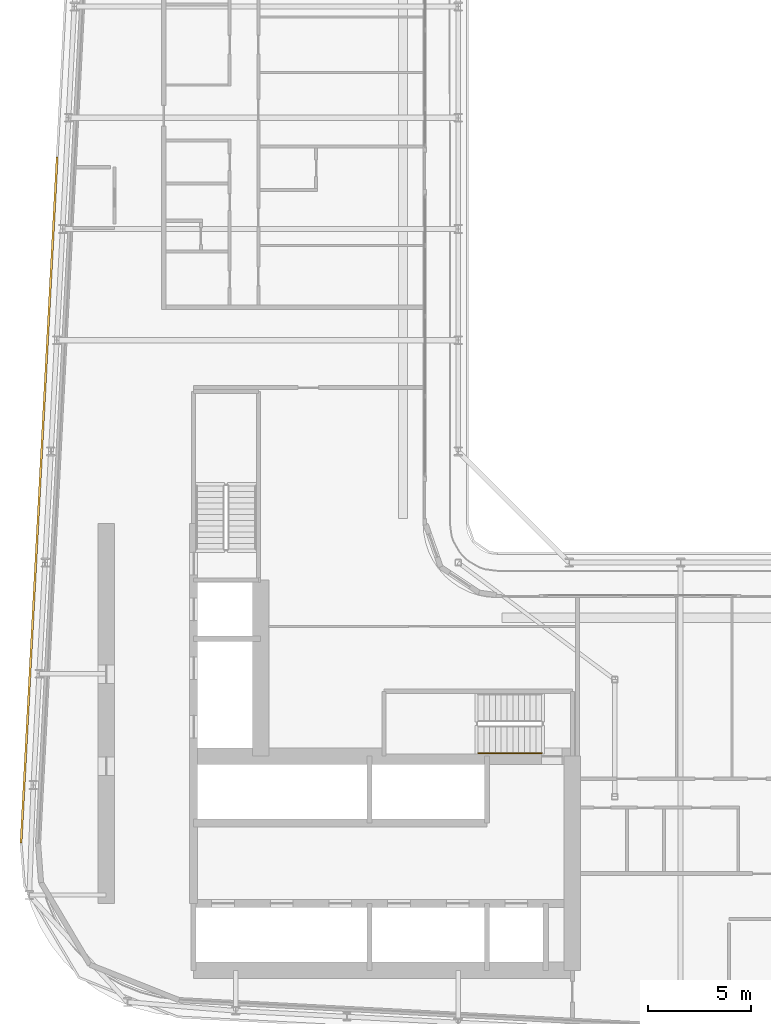
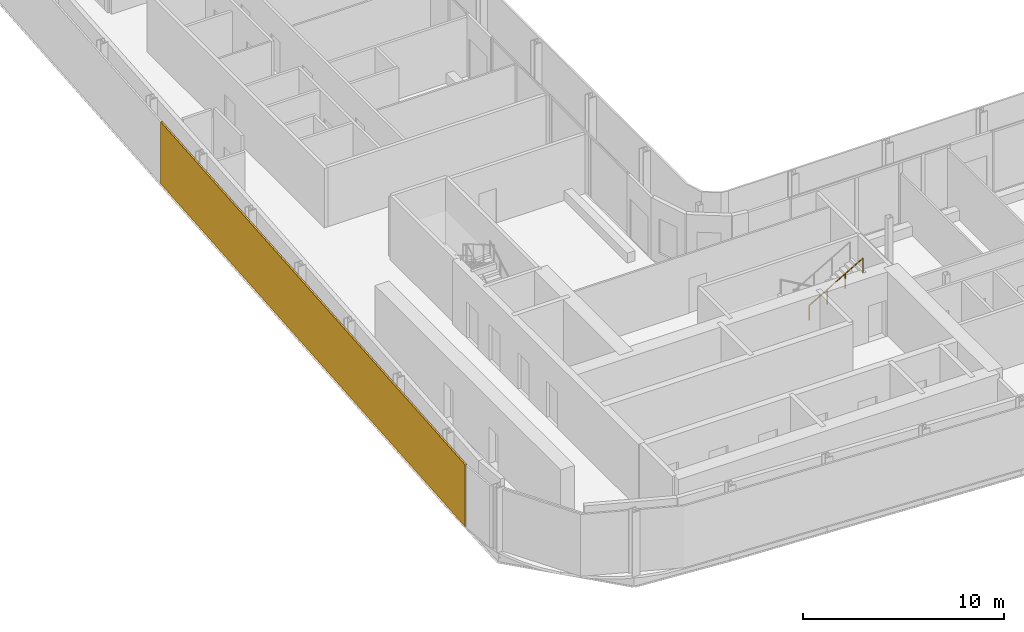
# One storey, part 23 of 29: 1 railing, 1 shading device.
"""IFC4 building model written with IfcOpenShell, lengths in metres."""

import ifcopenshell
import ifcopenshell.guid

model = None  # the IFC model being written
_history = None  # IfcOwnerHistory: only IFC2X3 demands one
_inside = {}  # id of a spatial element -> (the spatial element, [elements in it])
_under = {}  # id of a project, library or spatial element -> (it, [spatial elements below it])
_declared = {}  # id of a project -> (the project, [libraries it declares])
_typed = {}  # id of a type object -> (the type object, [elements of that type])
_made_of = {}  # id of a material, layer set ... -> (it, [elements and type objects made of it])


def new_model(schema):
    """Start an empty IFC model of exactly this schema.

    Asked for "IFC4X3", IfcOpenShell would pick the latest addendum, in which some entities
    have other attributes; the version numbers below select the first issue.
    IFC2X3 requires an IfcOwnerHistory on every rooted entity: one is made here for all.
    """
    global model, _history
    if schema == "IFC4X3":
        model = ifcopenshell.file(schema_version=(4, 3, 0, 0))
    else:
        model = ifcopenshell.file(schema=schema)
    _inside.clear()
    _under.clear()
    _declared.clear()
    _typed.clear()
    _made_of.clear()
    _history = None
    if model.schema == "IFC2X3":
        org = make("IfcOrganization", Name="unknown")
        user = make(
            "IfcPersonAndOrganization",
            ThePerson=make("IfcPerson", FamilyName="unknown"),
            TheOrganization=org,
        )
        app = make(
            "IfcApplication",
            ApplicationDeveloper=org,
            Version="unknown",
            ApplicationFullName="unknown",
            ApplicationIdentifier="unknown",
        )
        _history = make(
            "IfcOwnerHistory",
            OwningUser=user,
            OwningApplication=app,
            ChangeAction="ADDED",
            CreationDate=0,
        )
    return model


def make(cls, **values):
    """One entity of the class cls with the attributes given. An attribute that is None is left unset."""
    return model.create_entity(
        cls, **{name: value for name, value in values.items() if value is not None}
    )


def rooted(cls, **values):
    """An entity with a GlobalId (a new one), such as an element, a storey or a relation."""
    return make(cls, GlobalId=ifcopenshell.guid.new(), OwnerHistory=_history, **values)


def si_unit(unit_type, name, prefix=None):
    """IfcSIUnit, for example si_unit("LENGTHUNIT", "METRE", prefix="MILLI")."""
    return make("IfcSIUnit", UnitType=unit_type, Prefix=prefix, Name=name)


def assignment(units):
    """IfcUnitAssignment: the units of a project."""
    return None if units is None else make("IfcUnitAssignment", Units=units)


def point(xyz):
    """IfcCartesianPoint."""
    return None if xyz is None else make("IfcCartesianPoint", Coordinates=xyz)


def direction(xyz):
    """IfcDirection."""
    return None if xyz is None else make("IfcDirection", DirectionRatios=xyz)


def frame(location, z_axis=None, x_axis=None):
    """IfcAxis2Placement3D, a coordinate frame: its origin and axes. An axis left out is left unset."""
    return make(
        "IfcAxis2Placement3D",
        Location=point(location),
        Axis=direction(z_axis),
        RefDirection=direction(x_axis),
    )


def frame_2d(location, x_axis=None):
    """IfcAxis2Placement2D, a coordinate frame in the plane: its origin and x axis."""
    return make(
        "IfcAxis2Placement2D", Location=point(location), RefDirection=direction(x_axis)
    )


def origin():
    """The frame at (0, 0, 0) with its axes left unset."""
    return frame((0.0, 0.0, 0.0))


def origin_2d():
    """The frame at (0, 0) in the plane with its x axis left unset."""
    return frame_2d((0.0, 0.0))


def place(relative_to, where):
    """IfcLocalPlacement: puts the frame where relative to a parent placement (None: the world)."""
    return make(
        "IfcLocalPlacement", PlacementRelTo=relative_to, RelativePlacement=where
    )


def context(
    kind, dimensions, precision=None, world=None, true_north=None, identifier=None
):
    """IfcGeometricRepresentationContext, for example the 3D "Model" context."""
    return make(
        "IfcGeometricRepresentationContext",
        ContextIdentifier=identifier,
        ContextType=kind,
        CoordinateSpaceDimension=dimensions,
        Precision=precision,
        WorldCoordinateSystem=world,
        TrueNorth=true_north,
    )


def subcontext(parent, identifier, kind, view, scale=None):
    """IfcGeometricRepresentationSubContext, for example "Body" below "Model"."""
    return make(
        "IfcGeometricRepresentationSubContext",
        ContextIdentifier=identifier,
        ContextType=kind,
        ParentContext=parent,
        TargetScale=scale,
        TargetView=view,
    )


def project(units=None, contexts=None):
    """IfcProject with its units and contexts."""
    return rooted(
        "IfcProject",
        Name="project",
        RepresentationContexts=contexts,
        UnitsInContext=assignment(units),
    )


def spatial(cls, under=None, at=None, **own):
    """A site, building, storey or space (cls), placed at a placement, below another one or the project."""
    s = rooted(cls, ObjectPlacement=at, **own)
    if under is not None:
        _under.setdefault(under.id(), (under, []))[1].append(s)
    return s


def profile(cls, at=None, kind="AREA", **sizes):
    """A parametric profile (cls). Its sizes go by their IFC names, for example OverallWidth=200.0."""
    return make(cls, ProfileType=kind, Position=at, **sizes)


def rectangle(**sizes):
    """IfcRectangleProfileDef."""
    return profile("IfcRectangleProfileDef", **sizes)


def circle(**sizes):
    """IfcCircleProfileDef."""
    return profile("IfcCircleProfileDef", **sizes)


def extrude(swept, where, along, depth):
    """IfcExtrudedAreaSolid: the profile swept, set in the frame where, extruded along a direction by depth."""
    return make(
        "IfcExtrudedAreaSolid",
        SweptArea=swept,
        Position=where,
        ExtrudedDirection=direction(along),
        Depth=depth,
    )


def shape(context_of_items, identifier, shape_type, items):
    """IfcShapeRepresentation: the items that make up one representation, for example the "Body"."""
    return make(
        "IfcShapeRepresentation",
        ContextOfItems=context_of_items,
        RepresentationIdentifier=identifier,
        RepresentationType=shape_type,
        Items=items,
    )


def material(Name=None, Category=None):
    """IfcMaterial."""
    return make("IfcMaterial", Name=Name, Category=Category)


def layer(
    of_material, thickness, ventilated=None, Name=None, Category=None, Priority=None
):
    """IfcMaterialLayer: one layer of a wall or slab, of a material (None: an air gap)."""
    return make(
        "IfcMaterialLayer",
        Material=of_material,
        LayerThickness=thickness,
        IsVentilated=ventilated,
        Name=Name,
        Category=Category,
        Priority=Priority,
    )


def layer_set(layers, Name=None):
    """IfcMaterialLayerSet."""
    return make("IfcMaterialLayerSet", MaterialLayers=layers, LayerSetName=Name)


def made_of(thing, what):
    """Note that an element or type object is made of a material, layer set ...; save() writes the relation."""
    if what is not None:
        _made_of.setdefault(what.id(), (what, []))[1].append(thing)
    return thing


def type_object(cls, material=None, **own):
    """A type object (cls), such as IfcWallType, which elements share."""
    return made_of(rooted(cls, **own), material)


def element(
    cls,
    number,
    at=None,
    inside=None,
    cuts=None,
    type_object=None,
    material=None,
    context=None,
    identifier="Body",
    shape_type=None,
    held_by="IfcProductDefinitionShape",
    body=None,
    shapes=None,
    **own,
):
    """One element of the class cls, such as IfcWall. Its Tag is "e" and its number.

    at: its placement. inside: the storey or other place that contains it. cuts: it is an
    opening in that element (IfcRelVoidsElement). A single representation is given by context,
    identifier, shape_type and body (its items); several are given by shapes. held_by: the class
    of the entity that holds the representations. save() writes the other relations.
    """
    e = rooted(cls, Tag="e%d" % number, ObjectPlacement=at, **own)
    if body is not None:
        shapes = [shape(context, identifier, shape_type, body)]
    if shapes is not None:
        e.Representation = make(held_by, Representations=shapes)
    if inside is not None:
        _inside.setdefault(inside.id(), (inside, []))[1].append(e)
    if cuts is not None:
        rooted(
            "IfcRelVoidsElement", RelatingBuildingElement=cuts, RelatedOpeningElement=e
        )
    if type_object is not None:
        _typed.setdefault(type_object.id(), (type_object, []))[1].append(e)
    return made_of(e, material)


def aggregate(whole, parts):
    """IfcRelAggregates: a whole, such as a stair, and the parts it consists of."""
    return rooted("IfcRelAggregates", RelatingObject=whole, RelatedObjects=parts)


def save(model, path):
    """Write the relations noted so far, then the file.

    IfcRelAggregates (storeys below a building ...), IfcRelContainedInSpatialStructure (elements
    in a storey), IfcRelDefinesByType, IfcRelAssociatesMaterial and IfcRelDeclares: one each for
    every whole, place, type object, material and project.
    """
    for whole, parts in _under.values():
        aggregate(whole, parts)
    for where, things in _inside.values():
        rooted(
            "IfcRelContainedInSpatialStructure",
            RelatedElements=things,
            RelatingStructure=where,
        )
    for kind, things in _typed.values():
        rooted("IfcRelDefinesByType", RelatedObjects=things, RelatingType=kind)
    for what, things in _made_of.values():
        rooted("IfcRelAssociatesMaterial", RelatedObjects=things, RelatingMaterial=what)
    for by, libraries in _declared.values():
        rooted("IfcRelDeclares", RelatingContext=by, RelatedDefinitions=libraries)
    model.write(path)


model = new_model("IFC4")

# Units and contexts
model_context = context("Model", 3, precision=1e-05, world=origin(), true_north=direction((0.0, 1.0)))
body_context = subcontext(model_context, "Body", "Model", "MODEL_VIEW")
ifc_project = project(units=[si_unit("LENGTHUNIT", "METRE"), si_unit("AREAUNIT", "SQUARE_METRE"), si_unit("VOLUMEUNIT", "CUBIC_METRE"), si_unit("PLANEANGLEUNIT", "RADIAN"), si_unit("MASSUNIT", "GRAM", prefix="KILO")], contexts=[model_context])

# Site, building, storey
site_placement = place(None, origin())
site = spatial("IfcSite", under=ifc_project, at=site_placement, CompositionType="ELEMENT")
building_placement = place(site_placement, origin())
building = spatial("IfcBuilding", under=site, at=building_placement, Name="Kheshtan School and Residences Tower", CompositionType="ELEMENT")
storey_placement = place(building_placement, frame((0.0, 0.0, 183.800048828125)))
storey = spatial("IfcBuildingStorey", under=building, at=storey_placement, Name="L43", CompositionType="ELEMENT", Elevation=183.800048828125)

# Shading device
ifc_material_1 = material(Name="Terracotta baguette, extruded ceramic", Category="masonry")
ifc_layer = layer(ifc_material_1, 0.10009765625)
ifc_layer_set = layer_set([ifc_layer], Name="Ledge screen, terracotta baguettes")
shading_device_type = type_object("IfcShadingDeviceType", Name="Ledge screen, terracotta baguettes", PredefinedType="USERDEFINED", material=ifc_layer_set)
shading_device_placement = place(storey_placement, frame((27.24609375, 48.638916015625, 0.0), z_axis=(0.0, 0.0, 1.0), x_axis=(0.052562536748, 0.998617634398, 0.0)))
element("IfcShadingDevice", 1, at=shading_device_placement, inside=storey, type_object=shading_device_type, Name="Screen L43 4", ObjectType="BAGUETTE", PredefinedType="USERDEFINED", context=body_context, shape_type="SweptSolid", body=[
    extrude(rectangle(XDim=33.341064453125, YDim=0.10009765625, at=origin_2d()), origin(), (0.0, 0.0, 1.0), 3.75),
])

# Railing
ifc_material_2 = material(Name="Stainless steel handrail", Category="steel")
railing_type = type_object("IfcRailingType", Name="Stair handrail 900", PredefinedType="HANDRAIL", material=ifc_material_2)
railing_placement = place(storey_placement, frame((48.570068359375, 36.35009765625, 2.112548828125)))
element("IfcRailing", 2, at=railing_placement, inside=storey, type_object=railing_type, Name="L43 ST1 stair handrail 2", PredefinedType="HANDRAIL", context=body_context, shape_type="SweptSolid", body=[
    extrude(circle(Radius=0.02392578125, at=origin_2d()), frame((0.0, 0.0, 0.8759765625), z_axis=(0.864903211148, 0.0, 0.501938676878), x_axis=(0.0, 1.0, 0.0)), (0.0, 0.0, 1.0), 3.560791015625),
    extrude(circle(Radius=0.02099609375, at=origin_2d()), origin(), (0.0, 0.0, 1.0), 0.851806640625),
    extrude(circle(Radius=0.02099609375, at=origin_2d()), frame((1.026611328125, 0.0, 0.595703125)), (0.0, 0.0, 1.0), 0.851806640625),
    extrude(circle(Radius=0.02099609375, at=origin_2d()), frame((2.05322265625, 0.0, 1.191650390625)), (0.0, 0.0, 1.0), 0.851806640625),
    extrude(circle(Radius=0.02099609375, at=origin_2d()), frame((3.079833984375, 0.0, 1.787353515625)), (0.0, 0.0, 1.0), 0.851806640625),
])

save(model, "model.ifc")
